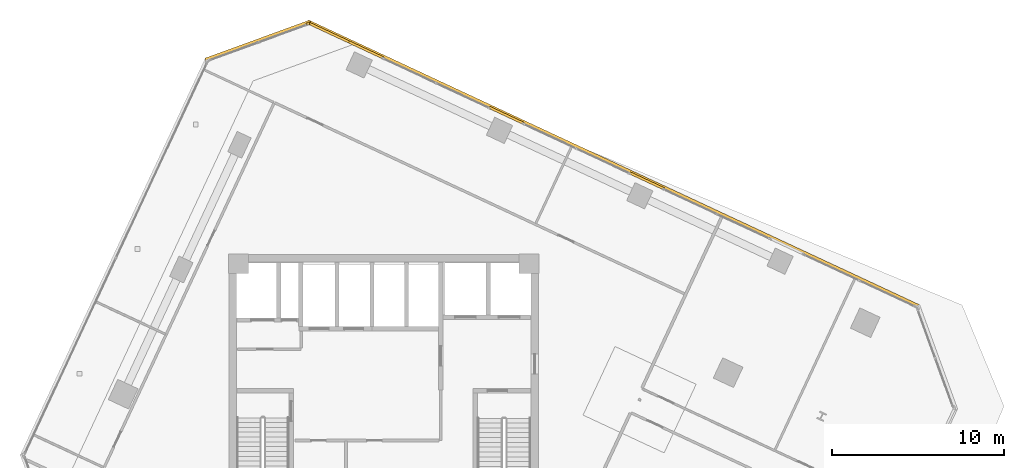
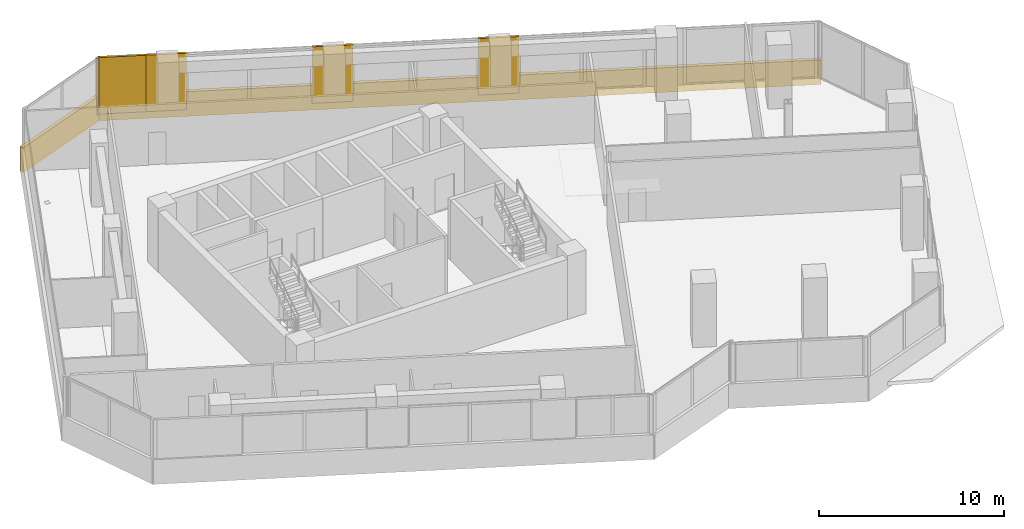
# One storey, part 23 of 23: 7 coverings.
"""IFC4 building model written with IfcOpenShell, lengths in metres."""

from ifc_helpers import new_model, si_unit, direction, frame, origin, origin_2d, place, context, subcontext, project, spatial, rectangle, extrude, source, transform, mapped, material, layer, layer_set, type_object, element, save


model = new_model("IFC4")

# Units and contexts
model_context = context("Model", 3, precision=1e-05, world=origin(), true_north=direction((0.0, 1.0)))
body_context = subcontext(model_context, "Body", "Model", "MODEL_VIEW")
ifc_project = project(units=[si_unit("LENGTHUNIT", "METRE"), si_unit("AREAUNIT", "SQUARE_METRE"), si_unit("VOLUMEUNIT", "CUBIC_METRE"), si_unit("PLANEANGLEUNIT", "RADIAN"), si_unit("MASSUNIT", "GRAM", prefix="KILO")], contexts=[model_context])

# Site, building, storey
site_placement = place(None, origin())
site = spatial("IfcSite", under=ifc_project, at=site_placement, CompositionType="ELEMENT")
building_placement = place(site_placement, origin())
building = spatial("IfcBuilding", under=site, at=building_placement, Name="Torre Montelarca", CompositionType="ELEMENT")
storey_placement = place(building_placement, frame((0.0, 0.0, 154.0)))
storey = spatial("IfcBuildingStorey", under=building, at=storey_placement, Name="L34", CompositionType="ELEMENT", Elevation=154.0)

# Coverings
ifc_material = material(Name="Bush-hammered warm white precast concrete C45/55", Category="concrete")
ifc_layer = layer(ifc_material, 0.139892578125, Name="Bush-hammered warm white precast concrete C45/55", Category="concrete")
ifc_layer_set = layer_set([ifc_layer], Name="Bush-hammered warm white precast concrete C45/55")
covering_type = type_object("IfcCoveringType", Name="COV-TRAY-CLAD", PredefinedType="CLADDING", material=ifc_layer_set)
shared_shape_1 = source(origin(), body_context, "Body", "SweptSolid", [
    extrude(rectangle(XDim=6.48388671875, YDim=0.219970703125, at=origin_2d()), origin(), (0.0, 0.0, 1.0), 1.6201171875),
])
covering_1_placement = place(storey_placement, frame((10.684326171875, 52.412109375, -0.449951171875), z_axis=(0.0, 0.0, 1.0), x_axis=(-0.939691426905, -0.34202342347, 0.0)))
element("IfcCovering", 1, at=covering_1_placement, inside=storey, type_object=covering_type, Name="L34 Architectural White Spandrel Tray Band TRYBOT-09", PredefinedType="CLADDING", context=body_context, shape_type="MappedRepresentation", body=[
    mapped(shared_shape_1, transform((0.0, 0.0, 0.0), scale=1.0)),
])
shared_shape_2 = source(origin(), body_context, "Body", "SweptSolid", [
    extrude(rectangle(XDim=0.199951171875, YDim=0.139892578125, at=origin_2d()), origin(), (0.0, 0.0, 1.0), 3.719970703125),
])
covering_2_placement = place(storey_placement, frame((13.586181640625, 53.404296875, 0.0), z_axis=(0.0, 0.0, 1.0), x_axis=(-0.939693814656, -0.342016863178, 0.0)))
element("IfcCovering", 2, at=covering_2_placement, inside=storey, type_object=covering_type, Name="L34 Architectural Column Pier Cladding E09-1", PredefinedType="CLADDING", context=body_context, shape_type="MappedRepresentation", body=[
    mapped(shared_shape_2, transform((0.0, 0.0, 0.0), scale=1.0)),
])
shared_shape_3 = source(origin(), body_context, "Body", "SweptSolid", [
    extrude(rectangle(XDim=2.2099609375, YDim=0.139892578125, at=origin_2d()), origin(), (0.0, 0.0, 1.0), 3.719970703125),
])
for number, where, z_axis, x_axis, name in (
    (3, (33.293212890625, 44.276123046875, 0.0), (0.0, 0.0, 1.0), (-0.906307787037, 0.422618261741, 0.0), "L34 Architectural Column Pier Cladding E08-3"),
    (4, (25.13623046875, 48.07958984375, 0.0), (0.0, 0.0, 1.0), (-0.906307787037, 0.422618261741, 0.0), "L34 Architectural Column Pier Cladding E08-4"),
    (5, (16.9794921875, 51.88330078125, 0.0), (0.0, 0.0, 1.0), (-0.906307787037, 0.422618261741, 0.0), "L34 Architectural Column Pier Cladding E08-5"),
):
    element("IfcCovering", number, at=place(storey_placement, frame(where, z_axis=z_axis, x_axis=x_axis)), inside=storey, type_object=covering_type, Name=name, PredefinedType="CLADDING", context=body_context, shape_type="MappedRepresentation", body=[
        mapped(shared_shape_3, transform((0.0, 0.0, 0.0), scale=1.0)),
    ])
shared_shape_4 = source(origin(), body_context, "Body", "SweptSolid", [
    extrude(rectangle(XDim=2.67919921875, YDim=0.139892578125, at=origin_2d()), origin(), (0.0, 0.0, 1.0), 3.719970703125),
])
covering_3_placement = place(storey_placement, frame((14.8544921875, 52.874267578125, 0.0), z_axis=(0.0, 0.0, 1.0), x_axis=(-0.906307787037, 0.422618261741, 0.0)))
element("IfcCovering", 6, at=covering_3_placement, inside=storey, type_object=covering_type, Name="L34 Architectural Column Pier Cladding E08-6", PredefinedType="CLADDING", context=body_context, shape_type="MappedRepresentation", body=[
    mapped(shared_shape_4, transform((0.0, 0.0, 0.0), scale=1.0)),
])
shared_shape_5 = source(origin(), body_context, "Body", "SweptSolid", [
    extrude(rectangle(XDim=39.22021484375, YDim=0.219970703125, at=origin_2d()), origin(), (0.0, 0.0, 1.0), 1.6201171875),
])
covering_4_placement = place(storey_placement, frame((31.369873046875, 45.2392578125, -0.449951171875), z_axis=(0.0, 0.0, 1.0), x_axis=(-0.906307787037, 0.422618261741, 0.0)))
element("IfcCovering", 7, at=covering_4_placement, inside=storey, type_object=covering_type, Name="L34 Architectural White Spandrel Tray Band TRYBOT-08", PredefinedType="CLADDING", context=body_context, shape_type="MappedRepresentation", body=[
    mapped(shared_shape_5, transform((0.0, 0.0, 0.0), scale=1.0)),
])

save(model, "model.ifc")
